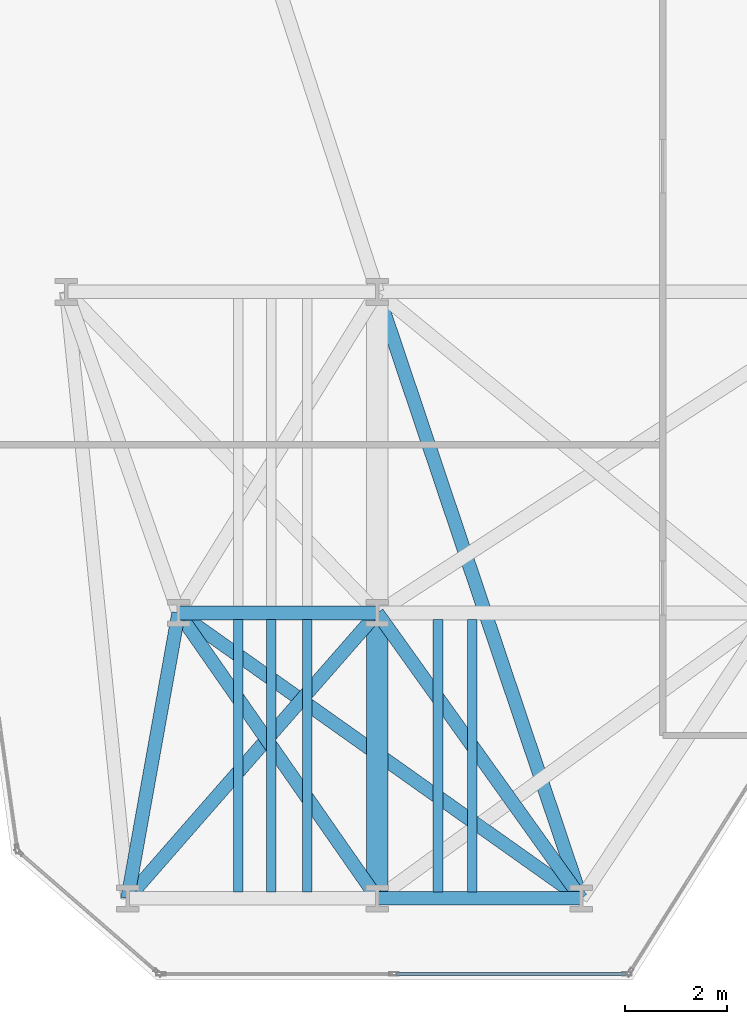
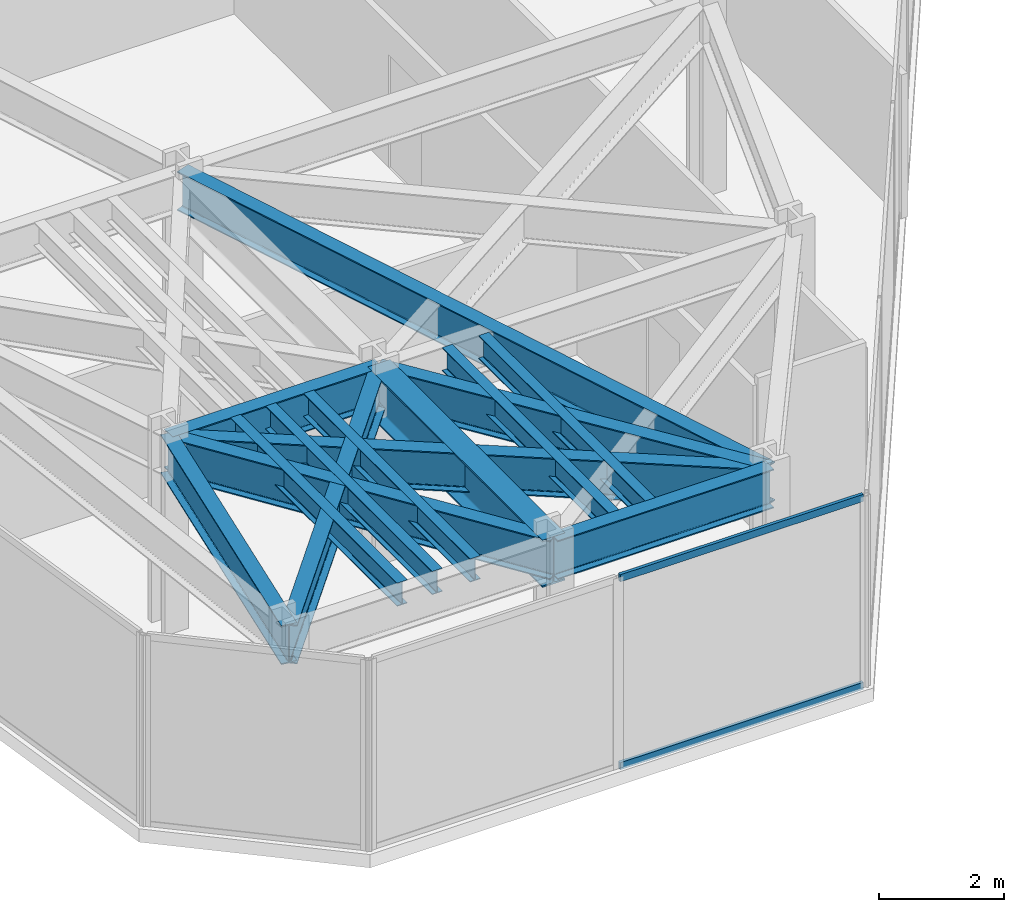
# One storey, part 3 of 24: 14 beams, 2 members, 1 element without a shape of its own.
"""IFC4 building model written with IfcOpenShell, lengths in metres."""

from ifc_helpers import new_model, si_unit, direction, frame, origin, origin_2d, place, context, subcontext, project, spatial, hollow_rectangle, i_section, extrude, material, layer, layer_set, material_profile, profile_set, type_object, element, aggregate, save


model = new_model("IFC4")

# Units and contexts
model_context = context("Model", 3, precision=1e-05, world=origin(), true_north=direction((0.0, 1.0)))
body_context = subcontext(model_context, "Body", "Model", "MODEL_VIEW")
ifc_project = project(units=[si_unit("LENGTHUNIT", "METRE"), si_unit("AREAUNIT", "SQUARE_METRE"), si_unit("VOLUMEUNIT", "CUBIC_METRE"), si_unit("PLANEANGLEUNIT", "RADIAN"), si_unit("MASSUNIT", "GRAM", prefix="KILO")], contexts=[model_context])

# Site, building, storey
site_placement = place(None, origin())
site = spatial("IfcSite", under=ifc_project, at=site_placement, CompositionType="ELEMENT")
building_placement = place(site_placement, origin())
building = spatial("IfcBuilding", under=site, at=building_placement, Name="Kravanh Interchange Tower", CompositionType="ELEMENT")
storey_placement = place(building_placement, frame((0.0, 0.0, 45.5)))
storey = spatial("IfcBuildingStorey", under=building, at=storey_placement, Name="L10", CompositionType="ELEMENT", Elevation=45.5)

# Curtain wall, members
ifc_material_1 = material(Name="Anodised Bronze Aluminium", Category="aluminium")
ifc_layer = layer(ifc_material_1, 0.179931640625)
ifc_layer_set = layer_set([ifc_layer], Name="Unitised Curtain Wall System CW-Z1 Lower Office")
curtain_wall_type = type_object("IfcCurtainWallType", Name="Unitised Curtain Wall System CW-Z1 Lower Office", PredefinedType="NOTDEFINED", material=ifc_layer_set)
curtain_wall_placement = place(storey_placement, origin())
curtain_wall = element("IfcCurtainWall", 1, at=curtain_wall_placement, inside=storey, type_object=curtain_wall_type, Name="L10 Unitised Curtain Wall CW-L10-06", PredefinedType="NOTDEFINED")
ifc_material_2 = material(Name="Anodised Bronze Aluminium", Category="aluminium")
ifc_material_profile_1 = material_profile(ifc_material_2, hollow_rectangle(XDim=0.06005859375, YDim=0.139892578125, WallThickness=0.00390625, at=origin_2d()), Name="ALU60X140X4")
ifc_profile_set_1 = profile_set([ifc_material_profile_1], Name="Anodised Bronze Aluminium")
member_type = type_object("IfcMemberType", Name="Curtain Wall Transom ALU60X140X4 Bronze", PredefinedType="USERDEFINED", material=ifc_profile_set_1)
member_1_placement = place(storey_placement, frame((22.36376953125, 1.1201171875, 0.030029296875), z_axis=(-1.0, 0.0, 0.0), x_axis=(0.0, -1.0, 0.0)))
member_1 = element("IfcMember", 2, at=member_1_placement, type_object=member_type, Name="CW-Z1 transom 1.1", ObjectType="TRANSOM", PredefinedType="USERDEFINED", context=body_context, shape_type="SweptSolid", body=[
    extrude(hollow_rectangle(XDim=0.06005859375, YDim=0.139892578125, WallThickness=0.00390625, at=origin_2d()), origin(), (0.0, 0.0, 1.0), 4.50146484375),
])
member_2_placement = place(storey_placement, frame((22.36376953125, 1.1201171875, 3.7099609375), z_axis=(-1.0, 0.0, 0.0), x_axis=(0.0, -1.0, 0.0)))
member_2 = element("IfcMember", 3, at=member_2_placement, type_object=member_type, Name="CW-Z1 transom 1.2", ObjectType="TRANSOM", PredefinedType="USERDEFINED", context=body_context, shape_type="SweptSolid", body=[
    extrude(hollow_rectangle(XDim=0.06005859375, YDim=0.139892578125, WallThickness=0.00390625, at=origin_2d()), origin(), (0.0, 0.0, 1.0), 4.50146484375),
])
aggregate(curtain_wall, [member_1, member_2])

# Beams
ifc_material_3 = material(Name="Structural Steel S355", Category="steel")
ifc_material_profile_2 = material_profile(ifc_material_3, i_section(OverallWidth=0.41796875, OverallDepth=0.927001953125, WebThickness=0.019287109375, FlangeThickness=0.031982421875, FilletRadius=0.028076171875, at=origin_2d()), Name="W36X231")
ifc_profile_set_2 = profile_set([ifc_material_profile_2], Name="Structural Steel S355")
beam_type_1 = type_object("IfcBeamType", Name="Floor Beam W36X231 Structural Steel S355", PredefinedType="BEAM", material=ifc_profile_set_2)
beam_1_placement = place(storey_placement, frame((17.5, 2.60009765625, 3.276611328125), z_axis=(0.0, 1.0, 0.0), x_axis=(-1.0, 0.0, 0.0)))
element("IfcBeam", 4, at=beam_1_placement, inside=storey, type_object=beam_type_1, Name="L10 Primary Floor Girder 103", PredefinedType="BEAM", context=body_context, shape_type="SweptSolid", body=[
    extrude(i_section(OverallWidth=0.41796875, OverallDepth=0.927001953125, WebThickness=0.019287109375, FlangeThickness=0.031982421875, FilletRadius=0.028076171875, at=origin_2d()), origin(), (0.0, 0.0, 1.0), 5.599853515625),
])
ifc_material_4 = material(Name="Structural Steel S355", Category="steel")
ifc_material_profile_3 = material_profile(ifc_material_4, i_section(OverallWidth=0.18994140625, OverallDepth=0.45703125, WebThickness=0.009033203125, FlangeThickness=0.014404296875, FilletRadius=0.01806640625, at=origin_2d()), Name="W18X50")
ifc_profile_set_3 = profile_set([ifc_material_profile_3], Name="Structural Steel S355")
beam_type_2 = type_object("IfcBeamType", Name="Floor Joist W18X50 Structural Steel S355", PredefinedType="JOIST", material=ifc_profile_set_3)
for number, where, z_axis, x_axis, name in (
    (5, (14.77001953125, 2.728515625, 3.511474609375), (0.0, 1.0, 0.0), (-1.0, 0.0, 0.0), "L10 Secondary Floor Joist 1"),
    (6, (15.419921875, 2.728515625, 3.511474609375), (0.0, 1.0, 0.0), (-1.0, 0.0, 0.0), "L10 Secondary Floor Joist 2"),
    (7, (16.1220703125, 2.728515625, 3.511474609375), (0.0, 1.0, 0.0), (-1.0, 0.0, 0.0), "L10 Secondary Floor Joist 3"),
    (8, (18.68994140625, 2.728515625, 3.511474609375), (0.0, 1.0, 0.0), (-1.0, 0.0, 0.0), "L10 Secondary Floor Joist 4"),
    (9, (19.364990234375, 2.728515625, 3.511474609375), (0.0, 1.0, 0.0), (-1.0, 0.0, 0.0), "L10 Secondary Floor Joist 5"),
):
    element("IfcBeam", number, at=place(storey_placement, frame(where, z_axis=z_axis, x_axis=x_axis)), inside=storey, type_object=beam_type_2, Name=name, PredefinedType="JOIST", context=body_context, shape_type="SweptSolid", body=[
        extrude(i_section(OverallWidth=0.18994140625, OverallDepth=0.45703125, WebThickness=0.009033203125, FlangeThickness=0.014404296875, FilletRadius=0.01806640625, at=origin_2d()), origin(), (0.0, 0.0, 1.0), 5.343017578125),
    ])
ifc_material_5 = material(Name="Structural Steel S355", Category="steel")
ifc_material_profile_4 = material_profile(ifc_material_5, i_section(OverallWidth=0.26708984375, OverallDepth=0.761962890625, WebThickness=0.014404296875, FlangeThickness=0.021484375, FilletRadius=0.02490234375, at=origin_2d()), Name="W30X116")
ifc_profile_set_4 = profile_set([ifc_material_profile_4], Name="Structural Steel S355")
beam_type_3 = type_object("IfcBeamType", Name="Floor Spandrel W30X116 Structural Steel S355", PredefinedType="SPANDREL", material=ifc_profile_set_4)
beam_2_placement = place(storey_placement, frame((12.60009765625, 2.60009765625, 3.35888671875), z_axis=(0.175795094814, 0.984426779725, 0.0), x_axis=(-0.984426779725, 0.175795094814, 0.0)))
element("IfcBeam", 10, at=beam_2_placement, inside=storey, type_object=beam_type_3, Name="L10 Perimeter Spandrel 39", PredefinedType="SPANDREL", context=body_context, shape_type="SweptSolid", body=[
    extrude(i_section(OverallWidth=0.26708984375, OverallDepth=0.761962890625, WebThickness=0.014404296875, FlangeThickness=0.021484375, FilletRadius=0.02490234375, at=origin_2d()), origin(), (0.0, 0.0, 1.0), 5.6884765625),
])
beam_3_placement = place(storey_placement, frame((12.60009765625, 2.60009765625, 3.35888671875), z_axis=(0.658506930733, 0.752574662194, 0.0), x_axis=(-0.752574662194, 0.658506930733, 0.0)))
element("IfcBeam", 11, at=beam_3_placement, inside=storey, type_object=beam_type_3, Name="L10 Perimeter Spandrel 40", PredefinedType="SPANDREL", context=body_context, shape_type="SweptSolid", body=[
    extrude(i_section(OverallWidth=0.26708984375, OverallDepth=0.761962890625, WebThickness=0.014404296875, FlangeThickness=0.021484375, FilletRadius=0.02490234375, at=origin_2d()), origin(), (0.0, 0.0, 1.0), 7.44091796875),
])
beam_4_placement = place(storey_placement, frame((17.5, 2.60009765625, 3.35888671875), z_axis=(1.0, 0.0, 0.0), x_axis=(0.0, 1.0, 0.0)))
element("IfcBeam", 12, at=beam_4_placement, inside=storey, type_object=beam_type_3, Name="L10 Perimeter Spandrel 102", PredefinedType="SPANDREL", context=body_context, shape_type="SweptSolid", body=[
    extrude(i_section(OverallWidth=0.26708984375, OverallDepth=0.761962890625, WebThickness=0.014404296875, FlangeThickness=0.021484375, FilletRadius=0.02490234375, at=origin_2d()), origin(), (0.0, 0.0, 1.0), 4.0),
])
beam_5_placement = place(storey_placement, frame((17.5, 2.60009765625, 3.35888671875), z_axis=(-0.571494183969, 0.820606116045, 0.0), x_axis=(-0.820606116045, -0.571494183969, 0.0)))
element("IfcBeam", 13, at=beam_5_placement, inside=storey, type_object=beam_type_3, Name="L10 Perimeter Spandrel 104", PredefinedType="SPANDREL", context=body_context, shape_type="SweptSolid", body=[
    extrude(i_section(OverallWidth=0.26708984375, OverallDepth=0.761962890625, WebThickness=0.014404296875, FlangeThickness=0.021484375, FilletRadius=0.02490234375, at=origin_2d()), origin(), (0.0, 0.0, 1.0), 6.823974609375),
])
beam_6_placement = place(storey_placement, frame((21.5, 2.60009765625, 3.35888671875), z_axis=(-0.581248261352, 0.813726279946, 0.0), x_axis=(-0.813726279946, -0.581248261352, 0.0)))
element("IfcBeam", 14, at=beam_6_placement, inside=storey, type_object=beam_type_3, Name="L10 Perimeter Spandrel 122", PredefinedType="SPANDREL", context=body_context, shape_type="SweptSolid", body=[
    extrude(i_section(OverallWidth=0.26708984375, OverallDepth=0.761962890625, WebThickness=0.014404296875, FlangeThickness=0.021484375, FilletRadius=0.02490234375, at=origin_2d()), origin(), (0.0, 0.0, 1.0), 6.8818359375),
])
beam_7_placement = place(storey_placement, frame((21.5, 2.60009765625, 3.35888671875), z_axis=(-0.815825239527, 0.578298520274, 0.0), x_axis=(-0.578298520274, -0.815825239527, 0.0)))
element("IfcBeam", 15, at=beam_7_placement, inside=storey, type_object=beam_type_3, Name="L10 Perimeter Spandrel 123", PredefinedType="SPANDREL", context=body_context, shape_type="SweptSolid", body=[
    extrude(i_section(OverallWidth=0.26708984375, OverallDepth=0.761962890625, WebThickness=0.014404296875, FlangeThickness=0.021484375, FilletRadius=0.02490234375, at=origin_2d()), origin(), (0.0, 0.0, 1.0), 9.683349609375),
])
beam_8_placement = place(storey_placement, frame((21.5, 2.60009765625, 3.35888671875), z_axis=(-0.318618734989, 0.947882957814, 0.0), x_axis=(-0.947882957814, -0.318618734989, 0.0)))
element("IfcBeam", 16, at=beam_8_placement, inside=storey, type_object=beam_type_3, Name="L10 Perimeter Spandrel 124", PredefinedType="SPANDREL", context=body_context, shape_type="SweptSolid", body=[
    extrude(i_section(OverallWidth=0.26708984375, OverallDepth=0.761962890625, WebThickness=0.014404296875, FlangeThickness=0.021484375, FilletRadius=0.02490234375, at=origin_2d()), origin(), (0.0, 0.0, 1.0), 12.55419921875),
])
beam_9_placement = place(storey_placement, frame((13.60009765625, 8.199951171875, 3.35888671875), z_axis=(1.0, 0.0, 0.0), x_axis=(0.0, 1.0, 0.0)))
element("IfcBeam", 17, at=beam_9_placement, inside=storey, type_object=beam_type_3, Name="L10 Perimeter Spandrel 133", PredefinedType="SPANDREL", context=body_context, shape_type="SweptSolid", body=[
    extrude(i_section(OverallWidth=0.26708984375, OverallDepth=0.761962890625, WebThickness=0.014404296875, FlangeThickness=0.021484375, FilletRadius=0.02490234375, at=origin_2d()), origin(), (0.0, 0.0, 1.0), 3.89990234375),
])

save(model, "model.ifc")
